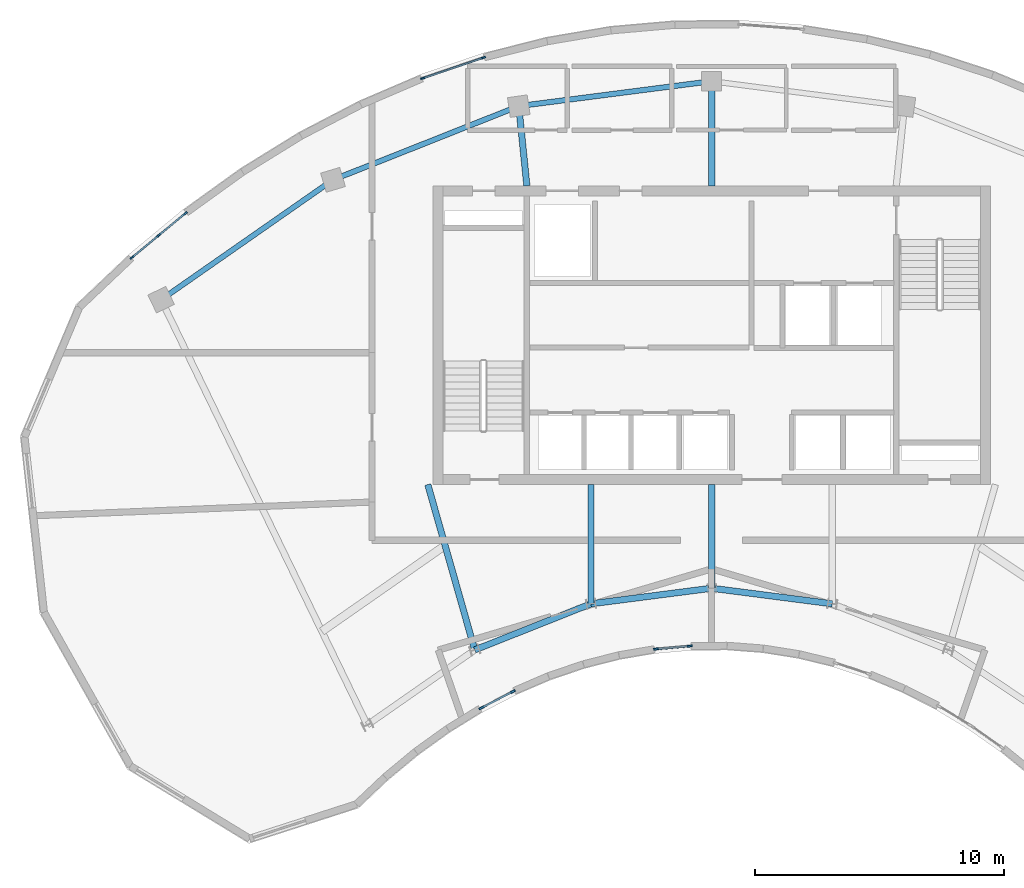
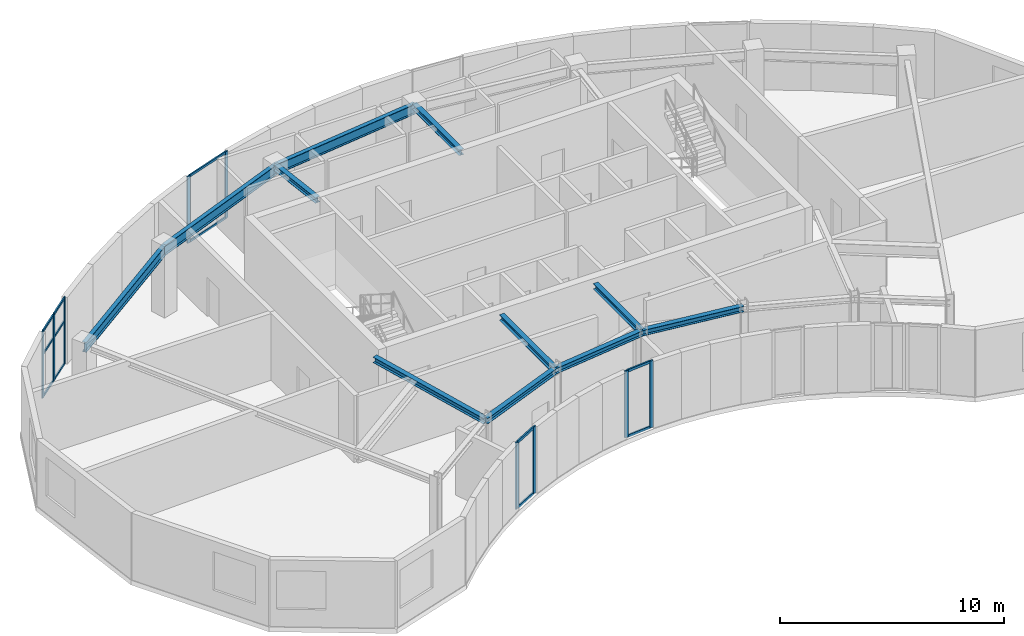
# One storey, part 2 of 9: 21 members, 11 beams, 4 elements without a shape of their own.
"""IFC4 building model written with IfcOpenShell, lengths in metres."""

import ifcopenshell
import ifcopenshell.guid

model = None  # the IFC model being written
_history = None  # IfcOwnerHistory: only IFC2X3 demands one
_inside = {}  # id of a spatial element -> (the spatial element, [elements in it])
_under = {}  # id of a project, library or spatial element -> (it, [spatial elements below it])
_declared = {}  # id of a project -> (the project, [libraries it declares])
_typed = {}  # id of a type object -> (the type object, [elements of that type])
_made_of = {}  # id of a material, layer set ... -> (it, [elements and type objects made of it])


def new_model(schema):
    """Start an empty IFC model of exactly this schema.

    Asked for "IFC4X3", IfcOpenShell would pick the latest addendum, in which some entities
    have other attributes; the version numbers below select the first issue.
    IFC2X3 requires an IfcOwnerHistory on every rooted entity: one is made here for all.
    """
    global model, _history
    if schema == "IFC4X3":
        model = ifcopenshell.file(schema_version=(4, 3, 0, 0))
    else:
        model = ifcopenshell.file(schema=schema)
    _inside.clear()
    _under.clear()
    _declared.clear()
    _typed.clear()
    _made_of.clear()
    _history = None
    if model.schema == "IFC2X3":
        org = make("IfcOrganization", Name="unknown")
        user = make(
            "IfcPersonAndOrganization",
            ThePerson=make("IfcPerson", FamilyName="unknown"),
            TheOrganization=org,
        )
        app = make(
            "IfcApplication",
            ApplicationDeveloper=org,
            Version="unknown",
            ApplicationFullName="unknown",
            ApplicationIdentifier="unknown",
        )
        _history = make(
            "IfcOwnerHistory",
            OwningUser=user,
            OwningApplication=app,
            ChangeAction="ADDED",
            CreationDate=0,
        )
    return model


def make(cls, **values):
    """One entity of the class cls with the attributes given. An attribute that is None is left unset."""
    return model.create_entity(
        cls, **{name: value for name, value in values.items() if value is not None}
    )


def rooted(cls, **values):
    """An entity with a GlobalId (a new one), such as an element, a storey or a relation."""
    return make(cls, GlobalId=ifcopenshell.guid.new(), OwnerHistory=_history, **values)


def si_unit(unit_type, name, prefix=None):
    """IfcSIUnit, for example si_unit("LENGTHUNIT", "METRE", prefix="MILLI")."""
    return make("IfcSIUnit", UnitType=unit_type, Prefix=prefix, Name=name)


def assignment(units):
    """IfcUnitAssignment: the units of a project."""
    return None if units is None else make("IfcUnitAssignment", Units=units)


def point(xyz):
    """IfcCartesianPoint."""
    return None if xyz is None else make("IfcCartesianPoint", Coordinates=xyz)


def direction(xyz):
    """IfcDirection."""
    return None if xyz is None else make("IfcDirection", DirectionRatios=xyz)


def frame(location, z_axis=None, x_axis=None):
    """IfcAxis2Placement3D, a coordinate frame: its origin and axes. An axis left out is left unset."""
    return make(
        "IfcAxis2Placement3D",
        Location=point(location),
        Axis=direction(z_axis),
        RefDirection=direction(x_axis),
    )


def frame_2d(location, x_axis=None):
    """IfcAxis2Placement2D, a coordinate frame in the plane: its origin and x axis."""
    return make(
        "IfcAxis2Placement2D", Location=point(location), RefDirection=direction(x_axis)
    )


def origin():
    """The frame at (0, 0, 0) with its axes left unset."""
    return frame((0.0, 0.0, 0.0))


def origin_2d():
    """The frame at (0, 0) in the plane with its x axis left unset."""
    return frame_2d((0.0, 0.0))


def place(relative_to, where):
    """IfcLocalPlacement: puts the frame where relative to a parent placement (None: the world)."""
    return make(
        "IfcLocalPlacement", PlacementRelTo=relative_to, RelativePlacement=where
    )


def context(
    kind, dimensions, precision=None, world=None, true_north=None, identifier=None
):
    """IfcGeometricRepresentationContext, for example the 3D "Model" context."""
    return make(
        "IfcGeometricRepresentationContext",
        ContextIdentifier=identifier,
        ContextType=kind,
        CoordinateSpaceDimension=dimensions,
        Precision=precision,
        WorldCoordinateSystem=world,
        TrueNorth=true_north,
    )


def subcontext(parent, identifier, kind, view, scale=None):
    """IfcGeometricRepresentationSubContext, for example "Body" below "Model"."""
    return make(
        "IfcGeometricRepresentationSubContext",
        ContextIdentifier=identifier,
        ContextType=kind,
        ParentContext=parent,
        TargetScale=scale,
        TargetView=view,
    )


def project(units=None, contexts=None):
    """IfcProject with its units and contexts."""
    return rooted(
        "IfcProject",
        Name="project",
        RepresentationContexts=contexts,
        UnitsInContext=assignment(units),
    )


def spatial(cls, under=None, at=None, **own):
    """A site, building, storey or space (cls), placed at a placement, below another one or the project."""
    s = rooted(cls, ObjectPlacement=at, **own)
    if under is not None:
        _under.setdefault(under.id(), (under, []))[1].append(s)
    return s


def profile(cls, at=None, kind="AREA", **sizes):
    """A parametric profile (cls). Its sizes go by their IFC names, for example OverallWidth=200.0."""
    return make(cls, ProfileType=kind, Position=at, **sizes)


def rectangle(**sizes):
    """IfcRectangleProfileDef."""
    return profile("IfcRectangleProfileDef", **sizes)


def i_section(**sizes):
    """IfcIShapeProfileDef."""
    return profile("IfcIShapeProfileDef", **sizes)


def extrude(swept, where, along, depth):
    """IfcExtrudedAreaSolid: the profile swept, set in the frame where, extruded along a direction by depth."""
    return make(
        "IfcExtrudedAreaSolid",
        SweptArea=swept,
        Position=where,
        ExtrudedDirection=direction(along),
        Depth=depth,
    )


def shape(context_of_items, identifier, shape_type, items):
    """IfcShapeRepresentation: the items that make up one representation, for example the "Body"."""
    return make(
        "IfcShapeRepresentation",
        ContextOfItems=context_of_items,
        RepresentationIdentifier=identifier,
        RepresentationType=shape_type,
        Items=items,
    )


def source(mapping_origin, context_of_items, identifier, shape_type, items):
    """IfcRepresentationMap: a shape defined once, which mapped items show again and again."""
    return make(
        "IfcRepresentationMap",
        MappingOrigin=mapping_origin,
        MappedRepresentation=shape(context_of_items, identifier, shape_type, items),
    )


def transform(
    local_origin,
    x_axis=None,
    y_axis=None,
    z_axis=None,
    scale=None,
    scale2=None,
    scale3=None,
    uniform=True,
):
    """IfcCartesianTransformationOperator3D, or its non-uniform kind. x_axis, y_axis, z_axis: its Axis1, 2, 3."""
    if uniform:
        return make(
            "IfcCartesianTransformationOperator3D",
            Axis1=direction(x_axis),
            Axis2=direction(y_axis),
            LocalOrigin=point(local_origin),
            Scale=scale,
            Axis3=direction(z_axis),
        )
    return make(
        "IfcCartesianTransformationOperator3DnonUniform",
        Axis1=direction(x_axis),
        Axis2=direction(y_axis),
        LocalOrigin=point(local_origin),
        Scale=scale,
        Axis3=direction(z_axis),
        Scale2=scale2,
        Scale3=scale3,
    )


def mapped(mapping_source, mapping_target):
    """IfcMappedItem: shows the shape of a source again, moved by a transform."""
    return make(
        "IfcMappedItem", MappingSource=mapping_source, MappingTarget=mapping_target
    )


def material(Name=None, Category=None):
    """IfcMaterial."""
    return make("IfcMaterial", Name=Name, Category=Category)


def layer(
    of_material, thickness, ventilated=None, Name=None, Category=None, Priority=None
):
    """IfcMaterialLayer: one layer of a wall or slab, of a material (None: an air gap)."""
    return make(
        "IfcMaterialLayer",
        Material=of_material,
        LayerThickness=thickness,
        IsVentilated=ventilated,
        Name=Name,
        Category=Category,
        Priority=Priority,
    )


def layer_set(layers, Name=None):
    """IfcMaterialLayerSet."""
    return make("IfcMaterialLayerSet", MaterialLayers=layers, LayerSetName=Name)


def material_profile(
    of_material, cross_section, Name=None, Category=None, Priority=None
):
    """IfcMaterialProfile: a cross section and its material."""
    return make(
        "IfcMaterialProfile",
        Name=Name,
        Material=of_material,
        Profile=cross_section,
        Priority=Priority,
        Category=Category,
    )


def profile_set(profiles, Name=None, composite=None):
    """IfcMaterialProfileSet."""
    return make(
        "IfcMaterialProfileSet",
        Name=Name,
        MaterialProfiles=profiles,
        CompositeProfile=composite,
    )


def made_of(thing, what):
    """Note that an element or type object is made of a material, layer set ...; save() writes the relation."""
    if what is not None:
        _made_of.setdefault(what.id(), (what, []))[1].append(thing)
    return thing


def type_object(cls, material=None, **own):
    """A type object (cls), such as IfcWallType, which elements share."""
    return made_of(rooted(cls, **own), material)


def element(
    cls,
    number,
    at=None,
    inside=None,
    cuts=None,
    type_object=None,
    material=None,
    context=None,
    identifier="Body",
    shape_type=None,
    held_by="IfcProductDefinitionShape",
    body=None,
    shapes=None,
    **own,
):
    """One element of the class cls, such as IfcWall. Its Tag is "e" and its number.

    at: its placement. inside: the storey or other place that contains it. cuts: it is an
    opening in that element (IfcRelVoidsElement). A single representation is given by context,
    identifier, shape_type and body (its items); several are given by shapes. held_by: the class
    of the entity that holds the representations. save() writes the other relations.
    """
    e = rooted(cls, Tag="e%d" % number, ObjectPlacement=at, **own)
    if body is not None:
        shapes = [shape(context, identifier, shape_type, body)]
    if shapes is not None:
        e.Representation = make(held_by, Representations=shapes)
    if inside is not None:
        _inside.setdefault(inside.id(), (inside, []))[1].append(e)
    if cuts is not None:
        rooted(
            "IfcRelVoidsElement", RelatingBuildingElement=cuts, RelatedOpeningElement=e
        )
    if type_object is not None:
        _typed.setdefault(type_object.id(), (type_object, []))[1].append(e)
    return made_of(e, material)


def aggregate(whole, parts):
    """IfcRelAggregates: a whole, such as a stair, and the parts it consists of."""
    return rooted("IfcRelAggregates", RelatingObject=whole, RelatedObjects=parts)


def save(model, path):
    """Write the relations noted so far, then the file.

    IfcRelAggregates (storeys below a building ...), IfcRelContainedInSpatialStructure (elements
    in a storey), IfcRelDefinesByType, IfcRelAssociatesMaterial and IfcRelDeclares: one each for
    every whole, place, type object, material and project.
    """
    for whole, parts in _under.values():
        aggregate(whole, parts)
    for where, things in _inside.values():
        rooted(
            "IfcRelContainedInSpatialStructure",
            RelatedElements=things,
            RelatingStructure=where,
        )
    for kind, things in _typed.values():
        rooted("IfcRelDefinesByType", RelatedObjects=things, RelatingType=kind)
    for what, things in _made_of.values():
        rooted("IfcRelAssociatesMaterial", RelatedObjects=things, RelatingMaterial=what)
    for by, libraries in _declared.values():
        rooted("IfcRelDeclares", RelatingContext=by, RelatedDefinitions=libraries)
    model.write(path)


model = new_model("IFC4")

# Units and contexts
model_context = context("Model", 3, precision=1e-05, world=origin(), true_north=direction((0.0, 1.0)))
body_context = subcontext(model_context, "Body", "Model", "MODEL_VIEW")
ifc_project = project(units=[si_unit("LENGTHUNIT", "METRE"), si_unit("AREAUNIT", "SQUARE_METRE"), si_unit("VOLUMEUNIT", "CUBIC_METRE"), si_unit("PLANEANGLEUNIT", "RADIAN"), si_unit("MASSUNIT", "GRAM", prefix="KILO")], contexts=[model_context])

# Site, building, storey
site_placement = place(None, origin())
site = spatial("IfcSite", under=ifc_project, at=site_placement, CompositionType="ELEMENT")
building_placement = place(site_placement, origin())
building = spatial("IfcBuilding", under=site, at=building_placement, Name="Breltana Convention Tower", CompositionType="ELEMENT")
storey_placement = place(building_placement, frame((0.0, 0.0, 291.300048828125)))
storey = spatial("IfcBuildingStorey", under=building, at=storey_placement, Name="L71", CompositionType="ELEMENT", Elevation=291.300048828125)

# Beams
ifc_material_1 = material(Name="Steel ASTM A992 Grade 50", Category="steel")
ifc_material_profile_1 = material_profile(ifc_material_1, i_section(OverallWidth=0.214111328125, OverallDepth=0.549072265625, WebThickness=0.0146484375, FlangeThickness=0.023681640625, at=origin_2d()), Name="W21X93")
ifc_profile_set_1 = profile_set([ifc_material_profile_1], Name="Steel ASTM A992 Grade 50")
beam_type_1 = type_object("IfcBeamType", Name="BM-SP-W21X93", PredefinedType="SPANDREL", material=ifc_profile_set_1)
shared_shape_1 = source(origin(), body_context, "Body", "SweptSolid", [
    extrude(i_section(OverallWidth=0.214111328125, OverallDepth=0.549072265625, WebThickness=0.0146484375, FlangeThickness=0.023681640625, at=origin_2d()), origin(), (0.0, 0.0, 1.0), 8.4169921875),
])
beam_1_placement = place(storey_placement, frame((25.8876953125, 67.626953125, 3.365478515625), z_axis=(0.820173800102, 0.572114444519, 0.0), x_axis=(-0.572114444519, 0.820173800102, 0.0)))
element("IfcBeam", 1, at=beam_1_placement, inside=storey, type_object=beam_type_1, Name="L71 Outer Spandrel Beam 03", PredefinedType="SPANDREL", context=body_context, shape_type="MappedRepresentation", body=[
    mapped(shared_shape_1, transform((0.0, 0.0, 0.0), scale=1.0)),
])
shared_shape_2 = source(origin(), body_context, "Body", "SweptSolid", [
    extrude(i_section(OverallWidth=0.214111328125, OverallDepth=0.549072265625, WebThickness=0.0146484375, FlangeThickness=0.023681640625, at=origin_2d()), origin(), (0.0, 0.0, 1.0), 8.028564453125),
])
beam_2_placement = place(storey_placement, frame((32.791015625, 72.4423828125, 3.365478515625), z_axis=(0.929459100394, 0.368925169507, 0.0), x_axis=(-0.368925169507, 0.929459100394, 0.0)))
element("IfcBeam", 2, at=beam_2_placement, inside=storey, type_object=beam_type_1, Name="L71 Outer Spandrel Beam 04", PredefinedType="SPANDREL", context=body_context, shape_type="MappedRepresentation", body=[
    mapped(shared_shape_2, transform((0.0, 0.0, 0.0), scale=1.0)),
])
shared_shape_3 = source(origin(), body_context, "Body", "SweptSolid", [
    extrude(i_section(OverallWidth=0.214111328125, OverallDepth=0.549072265625, WebThickness=0.0146484375, FlangeThickness=0.023681640625, at=origin_2d()), origin(), (0.0, 0.0, 1.0), 7.81103515625),
])
beam_3_placement = place(storey_placement, frame((40.253173828125, 75.404296875, 3.365478515625), z_axis=(0.991775179127, 0.127992164083, 0.0), x_axis=(-0.127992164083, 0.991775179127, 0.0)))
element("IfcBeam", 3, at=beam_3_placement, inside=storey, type_object=beam_type_1, Name="L71 Outer Spandrel Beam 05", PredefinedType="SPANDREL", context=body_context, shape_type="MappedRepresentation", body=[
    mapped(shared_shape_3, transform((0.0, 0.0, 0.0), scale=1.0)),
])
ifc_material_profile_2 = material_profile(ifc_material_1, i_section(OverallWidth=0.25390625, OverallDepth=0.305908203125, WebThickness=0.0087890625, FlangeThickness=0.0146484375, at=origin_2d()), Name="W12X53")
ifc_profile_set_2 = profile_set([ifc_material_profile_2], Name="Steel ASTM A992 Grade 50")
beam_type_2 = type_object("IfcBeamType", Name="BM-CN-W12X53", PredefinedType="BEAM", material=ifc_profile_set_2)
shared_shape_4 = source(origin(), body_context, "Body", "SweptSolid", [
    extrude(i_section(OverallWidth=0.25390625, OverallDepth=0.305908203125, WebThickness=0.0087890625, FlangeThickness=0.0146484375, at=origin_2d()), origin(), (0.0, 0.0, 1.0), 6.904541015625),
])
beam_4_placement = place(storey_placement, frame((36.60009765625, 60.199951171875, 3.487060546875), z_axis=(0.273006781054, -0.962012108811, 0.0), x_axis=(0.962012108811, 0.273006781054, 0.0)))
element("IfcBeam", 4, at=beam_4_placement, inside=storey, type_object=beam_type_2, Name="L71 South Core Tie Girder R04", PredefinedType="BEAM", context=body_context, shape_type="MappedRepresentation", body=[
    mapped(shared_shape_4, transform((0.0, 0.0, 0.0), scale=1.0)),
])
shared_shape_5 = source(origin(), body_context, "Body", "SweptSolid", [
    extrude(i_section(OverallWidth=0.25390625, OverallDepth=0.305908203125, WebThickness=0.0087890625, FlangeThickness=0.0146484375, at=origin_2d()), origin(), (0.0, 0.0, 1.0), 4.789306640625),
])
beam_5_placement = place(storey_placement, frame((43.153564453125, 60.199951171875, 3.487060546875), z_axis=(0.0, -1.0, 0.0), x_axis=(1.0, 0.0, 0.0)))
element("IfcBeam", 5, at=beam_5_placement, inside=storey, type_object=beam_type_2, Name="L71 South Core Tie Girder R05", PredefinedType="BEAM", context=body_context, shape_type="MappedRepresentation", body=[
    mapped(shared_shape_5, transform((0.0, 0.0, 0.0), scale=1.0)),
])
shared_shape_6 = source(origin(), body_context, "Body", "SweptSolid", [
    extrude(i_section(OverallWidth=0.25390625, OverallDepth=0.305908203125, WebThickness=0.0087890625, FlangeThickness=0.0146484375, at=origin_2d()), origin(), (0.0, 0.0, 1.0), 3.220947265625),
])
beam_6_placement = place(storey_placement, frame((40.580078125, 72.199951171875, 3.487060546875), z_axis=(-0.101492254858, 0.994836329355, 0.0), x_axis=(-0.994836329355, -0.101492254858, 0.0)))
element("IfcBeam", 6, at=beam_6_placement, inside=storey, type_object=beam_type_2, Name="L71 North Core Radial Girder R05", PredefinedType="BEAM", context=body_context, shape_type="MappedRepresentation", body=[
    mapped(shared_shape_6, transform((0.0, 0.0, 0.0), scale=1.0)),
])
shared_shape_7 = source(origin(), body_context, "Body", "SweptSolid", [
    extrude(i_section(OverallWidth=0.25390625, OverallDepth=0.305908203125, WebThickness=0.0087890625, FlangeThickness=0.0146484375, at=origin_2d()), origin(), (0.0, 0.0, 1.0), 4.1640625),
])
beam_7_placement = place(storey_placement, frame((48.0, 60.199951171875, 3.487060546875), z_axis=(0.0, -1.0, 0.0), x_axis=(1.0, 0.0, 0.0)))
element("IfcBeam", 7, at=beam_7_placement, inside=storey, type_object=beam_type_2, Name="L71 South Core Tie Girder R06", PredefinedType="BEAM", context=body_context, shape_type="MappedRepresentation", body=[
    mapped(shared_shape_7, transform((0.0, 0.0, 0.0), scale=1.0)),
])
shared_shape_8 = source(origin(), body_context, "Body", "SweptSolid", [
    extrude(i_section(OverallWidth=0.25390625, OverallDepth=0.305908203125, WebThickness=0.0087890625, FlangeThickness=0.0146484375, at=origin_2d()), origin(), (0.0, 0.0, 1.0), 4.2041015625),
])
beam_8_placement = place(storey_placement, frame((48.0, 72.199951171875, 3.487060546875), z_axis=(0.0, 1.0, 0.0), x_axis=(-1.0, 0.0, 0.0)))
element("IfcBeam", 8, at=beam_8_placement, inside=storey, type_object=beam_type_2, Name="L71 North Core Radial Girder R06", PredefinedType="BEAM", context=body_context, shape_type="MappedRepresentation", body=[
    mapped(shared_shape_8, transform((0.0, 0.0, 0.0), scale=1.0)),
])
shared_shape_9 = source(origin(), body_context, "Body", "SweptSolid", [
    extrude(i_section(OverallWidth=0.25390625, OverallDepth=0.305908203125, WebThickness=0.0087890625, FlangeThickness=0.0146484375, at=origin_2d()), origin(), (0.0, 0.0, 1.0), 5.022705078125),
])
beam_9_placement = place(storey_placement, frame((38.485107421875, 53.5576171875, 3.487060546875), z_axis=(0.929458966248, 0.368925507469, 0.0), x_axis=(-0.368925507469, 0.929458966248, 0.0)))
element("IfcBeam", 9, at=beam_9_placement, inside=storey, type_object=beam_type_2, Name="L71 Inner Ring Beam 04", PredefinedType="BEAM", context=body_context, shape_type="MappedRepresentation", body=[
    mapped(shared_shape_9, transform((0.0, 0.0, 0.0), scale=1.0)),
])
shared_shape_10 = source(origin(), body_context, "Body", "SweptSolid", [
    extrude(i_section(OverallWidth=0.25390625, OverallDepth=0.305908203125, WebThickness=0.0087890625, FlangeThickness=0.0146484375, at=origin_2d()), origin(), (0.0, 0.0, 1.0), 4.88671875),
])
for number, where, z_axis, x_axis, name in (
    (10, (43.153564453125, 55.41064453125, 3.487060546875), (0.991780525565, 0.127950729231, 0.0), (-0.127950729231, 0.991780525565, 0.0), "L71 Inner Ring Beam 05"),
    (11, (48.0, 56.035888671875, 3.487060546875), (0.991780525565, -0.127950729231, 0.0), (0.127950729231, 0.991780525565, 0.0), "L71 Inner Ring Beam 06"),
):
    element("IfcBeam", number, at=place(storey_placement, frame(where, z_axis=z_axis, x_axis=x_axis)), inside=storey, type_object=beam_type_2, Name=name, PredefinedType="BEAM", context=body_context, shape_type="MappedRepresentation", body=[
        mapped(shared_shape_10, transform((0.0, 0.0, 0.0), scale=1.0)),
    ])

# Curtain wall, members
ifc_material_2 = material(Name="Aluminium Anodised Bronze Frame", Category="aluminium")
ifc_layer_1 = layer(ifc_material_2, 0.18994140625, Name="Aluminium Anodised Bronze Frame")
ifc_layer_set_1 = layer_set([ifc_layer_1], Name="Aluminium Anodised Bronze Frame")
curtain_wall_type_1 = type_object("IfcCurtainWallType", Name="CW-SYS-1", PredefinedType="NOTDEFINED", material=ifc_layer_set_1)
curtain_wall_1_placement = place(storey_placement, origin())
curtain_wall_1 = element("IfcCurtainWall", 12, at=curtain_wall_1_placement, inside=storey, type_object=curtain_wall_type_1, Name="L71 inner south-court glazing 4", PredefinedType="NOTDEFINED")
ifc_material_3 = material(Name="Aluminium Anodised Bronze", Category="aluminium")
ifc_material_profile_3 = material_profile(ifc_material_3, rectangle(XDim=0.080078125, YDim=0.199951171875, at=origin_2d()), Name="CWM-80X200")
ifc_profile_set_3 = profile_set([ifc_material_profile_3], Name="Aluminium Anodised Bronze")
member_type_1 = type_object("IfcMemberType", Name="CWM-200", PredefinedType="MULLION", material=ifc_profile_set_3)
shared_shape_11 = source(origin(), body_context, "Body", "SweptSolid", [
    extrude(rectangle(XDim=0.080078125, YDim=0.199951171875, at=origin_2d()), origin(), (0.0, 0.0, 1.0), 3.639892578125),
])
member_1_placement = place(storey_placement, frame((47.12255859375, 53.713623046875, 0.0), z_axis=(0.0, 0.0, 1.0), x_axis=(0.087519079336, -0.996162843491, 0.0)))
member_1 = element("IfcMember", 13, at=member_1_placement, type_object=member_type_1, Name="CW-01 mullion 1", PredefinedType="MULLION", context=body_context, shape_type="MappedRepresentation", body=[
    mapped(shared_shape_11, transform((0.0, 0.0, 0.0), scale=1.0)),
])
member_2_placement = place(storey_placement, frame((45.766845703125, 53.594482421875, 0.0), z_axis=(0.0, 0.0, 1.0), x_axis=(0.087519079336, -0.996162843491, 0.0)))
member_2 = element("IfcMember", 14, at=member_2_placement, type_object=member_type_1, Name="CW-01 mullion 2", PredefinedType="MULLION", context=body_context, shape_type="MappedRepresentation", body=[
    mapped(shared_shape_11, transform((0.0, 0.0, 0.0), scale=1.0)),
])

curtain_wall_2_placement = place(storey_placement, origin())
curtain_wall_2 = element("IfcCurtainWall", 15, at=curtain_wall_2_placement, inside=storey, type_object=curtain_wall_type_1, Name="L71 inner south-court glazing 5", PredefinedType="NOTDEFINED")
member_3_placement = place(storey_placement, frame((40.02001953125, 51.887939453125, 0.0), z_axis=(0.0, 0.0, 1.0), x_axis=(0.462102455484, -0.886826544842, 0.0)))
member_3 = element("IfcMember", 16, at=member_3_placement, type_object=member_type_1, Name="CW-01 mullion 1", PredefinedType="MULLION", context=body_context, shape_type="MappedRepresentation", body=[
    mapped(shared_shape_11, transform((0.0, 0.0, 0.0), scale=1.0)),
])
member_4_placement = place(storey_placement, frame((38.75048828125, 51.2265625, 0.0), z_axis=(0.0, 0.0, 1.0), x_axis=(0.462102455484, -0.886826544842, 0.0)))
member_4 = element("IfcMember", 17, at=member_4_placement, type_object=member_type_1, Name="CW-01 mullion 2", PredefinedType="MULLION", context=body_context, shape_type="MappedRepresentation", body=[
    mapped(shared_shape_11, transform((0.0, 0.0, 0.0), scale=1.0)),
])

ifc_layer_2 = layer(ifc_material_2, 0.22998046875, Name="Aluminium Anodised Bronze Frame")
ifc_layer_set_2 = layer_set([ifc_layer_2], Name="Aluminium Anodised Bronze Frame")
curtain_wall_type_2 = type_object("IfcCurtainWallType", Name="CW-SYS-5", PredefinedType="NOTDEFINED", material=ifc_layer_set_2)
curtain_wall_3_placement = place(storey_placement, origin())
curtain_wall_3 = element("IfcCurtainWall", 18, at=curtain_wall_3_placement, inside=storey, type_object=curtain_wall_type_2, Name="L71 outer double-skin inner glazing 1", PredefinedType="NOTDEFINED")
ifc_material_profile_4 = material_profile(ifc_material_3, rectangle(XDim=0.070068359375, YDim=0.175048828125, at=origin_2d()), Name="CWM-70X175")
ifc_profile_set_4 = profile_set([ifc_material_profile_4], Name="Aluminium Anodised Bronze")
member_type_2 = type_object("IfcMemberType", Name="CWM-175", PredefinedType="MULLION", material=ifc_profile_set_4)
shared_shape_12 = source(origin(), body_context, "Body", "SweptSolid", [
    extrude(rectangle(XDim=0.070068359375, YDim=0.175048828125, at=origin_2d()), origin(), (0.0, 0.0, 1.0), 3.639892578125),
])
member_5_placement = place(storey_placement, frame((24.716796875, 69.321533203125, 0.0), z_axis=(0.0, 0.0, 1.0), x_axis=(-0.638320160979, 0.76977098678, 0.0)))
member_5 = element("IfcMember", 19, at=member_5_placement, type_object=member_type_2, Name="CW-05 mullion 1", PredefinedType="MULLION", context=body_context, shape_type="MappedRepresentation", body=[
    mapped(shared_shape_12, transform((0.0, 0.0, 0.0), scale=1.0)),
])
member_6_placement = place(storey_placement, frame((25.78759765625, 70.209228515625, 0.0), z_axis=(0.0, 0.0, 1.0), x_axis=(-0.638320160979, 0.76977098678, 0.0)))
member_6 = element("IfcMember", 20, at=member_6_placement, type_object=member_type_2, Name="CW-05 mullion 2", PredefinedType="MULLION", context=body_context, shape_type="MappedRepresentation", body=[
    mapped(shared_shape_12, transform((0.0, 0.0, 0.0), scale=1.0)),
])
member_7_placement = place(storey_placement, frame((26.858154296875, 71.09716796875, 0.0), z_axis=(0.0, 0.0, 1.0), x_axis=(-0.638320160979, 0.76977098678, 0.0)))
member_7 = element("IfcMember", 21, at=member_7_placement, type_object=member_type_2, Name="CW-05 mullion 3", PredefinedType="MULLION", context=body_context, shape_type="MappedRepresentation", body=[
    mapped(shared_shape_12, transform((0.0, 0.0, 0.0), scale=1.0)),
])

curtain_wall_4_placement = place(storey_placement, origin())
curtain_wall_4 = element("IfcCurtainWall", 22, at=curtain_wall_4_placement, inside=storey, type_object=curtain_wall_type_2, Name="L71 outer double-skin inner glazing 2", PredefinedType="NOTDEFINED")
member_8_placement = place(storey_placement, frame((36.39697265625, 76.5224609375, 0.0), z_axis=(0.0, 0.0, 1.0), x_axis=(-0.322186529445, 0.946676206654, 0.0)))
member_8 = element("IfcMember", 23, at=member_8_placement, type_object=member_type_2, Name="CW-05 mullion 1", PredefinedType="MULLION", context=body_context, shape_type="MappedRepresentation", body=[
    mapped(shared_shape_12, transform((0.0, 0.0, 0.0), scale=1.0)),
])
member_9_placement = place(storey_placement, frame((38.830322265625, 77.3505859375, 0.0), z_axis=(0.0, 0.0, 1.0), x_axis=(-0.322186529445, 0.946676206654, 0.0)))
member_9 = element("IfcMember", 24, at=member_9_placement, type_object=member_type_2, Name="CW-05 mullion 2", PredefinedType="MULLION", context=body_context, shape_type="MappedRepresentation", body=[
    mapped(shared_shape_12, transform((0.0, 0.0, 0.0), scale=1.0)),
])

# Member
ifc_material_profile_5 = material_profile(ifc_material_3, rectangle(XDim=0.070068359375, YDim=0.1201171875, at=origin_2d()), Name="CWT-70X120")
ifc_profile_set_5 = profile_set([ifc_material_profile_5], Name="Aluminium Anodised Bronze")
member_type_3 = type_object("IfcMemberType", Name="CWT-120", PredefinedType="USERDEFINED", material=ifc_profile_set_5)
shared_shape_13 = source(origin(), body_context, "Body", "SweptSolid", [
    extrude(rectangle(XDim=0.070068359375, YDim=0.1201171875, at=origin_2d()), origin(), (0.0, 0.0, 1.0), 1.321044921875),
])
member_10_placement = place(storey_placement, frame((24.74365234375, 69.34375, 0.034912109375), z_axis=(0.769749100727, 0.63834655316, 0.0), x_axis=(-0.63834655316, 0.769749100727, 0.0)))
member_10 = element("IfcMember", 25, at=member_10_placement, type_object=member_type_3, Name="CW-05 transom 1.1", ObjectType="TRANSOM", PredefinedType="USERDEFINED", context=body_context, shape_type="MappedRepresentation", body=[
    mapped(shared_shape_13, transform((0.0, 0.0, 0.0), scale=1.0)),
])

member_11_placement = place(storey_placement, frame((24.74365234375, 69.34375, 2.365966796875), z_axis=(0.769749100727, 0.63834655316, 0.0), x_axis=(-0.63834655316, 0.769749100727, 0.0)))
member_11 = element("IfcMember", 26, at=member_11_placement, type_object=member_type_3, Name="CW-05 transom 1.2", ObjectType="TRANSOM", PredefinedType="USERDEFINED", context=body_context, shape_type="MappedRepresentation", body=[
    mapped(shared_shape_13, transform((0.0, 0.0, 0.0), scale=1.0)),
])

member_12_placement = place(storey_placement, frame((24.74365234375, 69.34375, 3.60498046875), z_axis=(0.769749100727, 0.63834655316, 0.0), x_axis=(-0.63834655316, 0.769749100727, 0.0)))
member_12 = element("IfcMember", 27, at=member_12_placement, type_object=member_type_3, Name="CW-05 transom 1.3", ObjectType="TRANSOM", PredefinedType="USERDEFINED", context=body_context, shape_type="MappedRepresentation", body=[
    mapped(shared_shape_13, transform((0.0, 0.0, 0.0), scale=1.0)),
])

member_13_placement = place(storey_placement, frame((25.814453125, 70.231689453125, 0.034912109375), z_axis=(0.769749100727, 0.63834655316, 0.0), x_axis=(-0.63834655316, 0.769749100727, 0.0)))
member_13 = element("IfcMember", 28, at=member_13_placement, type_object=member_type_3, Name="CW-05 transom 2.1", ObjectType="TRANSOM", PredefinedType="USERDEFINED", context=body_context, shape_type="MappedRepresentation", body=[
    mapped(shared_shape_13, transform((0.0, 0.0, 0.0), scale=1.0)),
])

member_14_placement = place(storey_placement, frame((25.814453125, 70.231689453125, 2.365966796875), z_axis=(0.769749100727, 0.63834655316, 0.0), x_axis=(-0.63834655316, 0.769749100727, 0.0)))
member_14 = element("IfcMember", 29, at=member_14_placement, type_object=member_type_3, Name="CW-05 transom 2.2", ObjectType="TRANSOM", PredefinedType="USERDEFINED", context=body_context, shape_type="MappedRepresentation", body=[
    mapped(shared_shape_13, transform((0.0, 0.0, 0.0), scale=1.0)),
])

member_15_placement = place(storey_placement, frame((25.814453125, 70.231689453125, 3.60498046875), z_axis=(0.769749100727, 0.63834655316, 0.0), x_axis=(-0.63834655316, 0.769749100727, 0.0)))
member_15 = element("IfcMember", 30, at=member_15_placement, type_object=member_type_3, Name="CW-05 transom 2.3", ObjectType="TRANSOM", PredefinedType="USERDEFINED", context=body_context, shape_type="MappedRepresentation", body=[
    mapped(shared_shape_13, transform((0.0, 0.0, 0.0), scale=1.0)),
])

aggregate(curtain_wall_3, [member_5, member_6, member_7, member_10, member_11, member_12, member_13, member_14, member_15])

ifc_material_profile_6 = material_profile(ifc_material_3, rectangle(XDim=0.080078125, YDim=0.139892578125, at=origin_2d()), Name="CWT-80X140")
ifc_profile_set_6 = profile_set([ifc_material_profile_6], Name="Aluminium Anodised Bronze")
member_type_4 = type_object("IfcMemberType", Name="CWT-140", PredefinedType="USERDEFINED", material=ifc_profile_set_6)
shared_shape_14 = source(origin(), body_context, "Body", "SweptSolid", [
    extrude(rectangle(XDim=0.080078125, YDim=0.139892578125, at=origin_2d()), origin(), (0.0, 0.0, 1.0), 1.28076171875),
])
member_16_placement = place(storey_placement, frame((47.08251953125, 53.710205078125, 0.0400390625), z_axis=(-0.996148479947, -0.087682414997, 0.0), x_axis=(0.087682414997, -0.996148479947, 0.0)))
member_16 = element("IfcMember", 31, at=member_16_placement, type_object=member_type_4, Name="CW-01 transom 1.1", ObjectType="TRANSOM", PredefinedType="USERDEFINED", context=body_context, shape_type="MappedRepresentation", body=[
    mapped(shared_shape_14, transform((0.0, 0.0, 0.0), scale=1.0)),
])

member_17_placement = place(storey_placement, frame((47.08251953125, 53.710205078125, 3.599853515625), z_axis=(-0.996148479947, -0.087682414997, 0.0), x_axis=(0.087682414997, -0.996148479947, 0.0)))
member_17 = element("IfcMember", 32, at=member_17_placement, type_object=member_type_4, Name="CW-01 transom 1.2", ObjectType="TRANSOM", PredefinedType="USERDEFINED", context=body_context, shape_type="MappedRepresentation", body=[
    mapped(shared_shape_14, transform((0.0, 0.0, 0.0), scale=1.0)),
])

aggregate(curtain_wall_1, [member_1, member_2, member_16, member_17])

shared_shape_15 = source(origin(), body_context, "Body", "SweptSolid", [
    extrude(rectangle(XDim=0.080078125, YDim=0.139892578125, at=origin_2d()), origin(), (0.0, 0.0, 1.0), 1.3515625),
])
member_18_placement = place(storey_placement, frame((39.984619140625, 51.86962890625, 0.0400390625), z_axis=(-0.886749054893, -0.462251136987, 0.0), x_axis=(0.462251136987, -0.886749054893, 0.0)))
member_18 = element("IfcMember", 33, at=member_18_placement, type_object=member_type_4, Name="CW-01 transom 1.1", ObjectType="TRANSOM", PredefinedType="USERDEFINED", context=body_context, shape_type="MappedRepresentation", body=[
    mapped(shared_shape_15, transform((0.0, 0.0, 0.0), scale=1.0)),
])

member_19_placement = place(storey_placement, frame((39.984619140625, 51.86962890625, 3.599853515625), z_axis=(-0.886749054893, -0.462251136987, 0.0), x_axis=(0.462251136987, -0.886749054893, 0.0)))
member_19 = element("IfcMember", 34, at=member_19_placement, type_object=member_type_4, Name="CW-01 transom 1.2", ObjectType="TRANSOM", PredefinedType="USERDEFINED", context=body_context, shape_type="MappedRepresentation", body=[
    mapped(shared_shape_15, transform((0.0, 0.0, 0.0), scale=1.0)),
])

aggregate(curtain_wall_2, [member_3, member_4, member_18, member_19])

shared_shape_16 = source(origin(), body_context, "Body", "SweptSolid", [
    extrude(rectangle(XDim=0.070068359375, YDim=0.1201171875, at=origin_2d()), origin(), (0.0, 0.0, 1.0), 2.500244140625),
])
member_20_placement = place(storey_placement, frame((36.43017578125, 76.53369140625, 0.034912109375), z_axis=(0.946662581266, 0.322226561957, 0.0), x_axis=(-0.322226561957, 0.946662581266, 0.0)))
member_20 = element("IfcMember", 35, at=member_20_placement, type_object=member_type_3, Name="CW-05 transom 1.1", ObjectType="TRANSOM", PredefinedType="USERDEFINED", context=body_context, shape_type="MappedRepresentation", body=[
    mapped(shared_shape_16, transform((0.0, 0.0, 0.0), scale=1.0)),
])

member_21_placement = place(storey_placement, frame((36.43017578125, 76.53369140625, 3.60498046875), z_axis=(0.946662581266, 0.322226561957, 0.0), x_axis=(-0.322226561957, 0.946662581266, 0.0)))
member_21 = element("IfcMember", 36, at=member_21_placement, type_object=member_type_3, Name="CW-05 transom 1.2", ObjectType="TRANSOM", PredefinedType="USERDEFINED", context=body_context, shape_type="MappedRepresentation", body=[
    mapped(shared_shape_16, transform((0.0, 0.0, 0.0), scale=1.0)),
])

aggregate(curtain_wall_4, [member_8, member_9, member_20, member_21])

save(model, "model.ifc")
